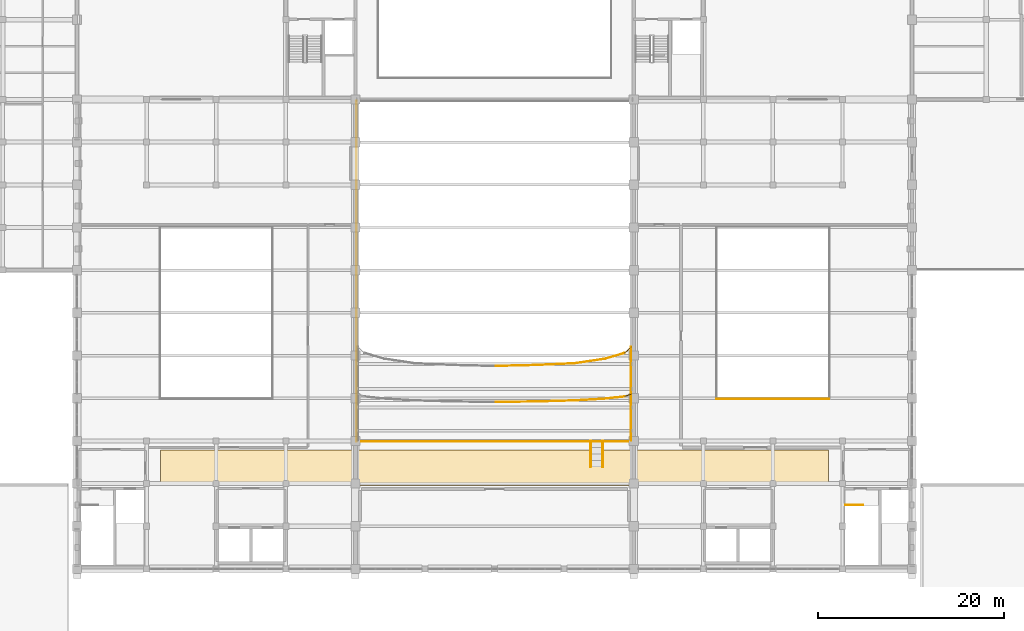
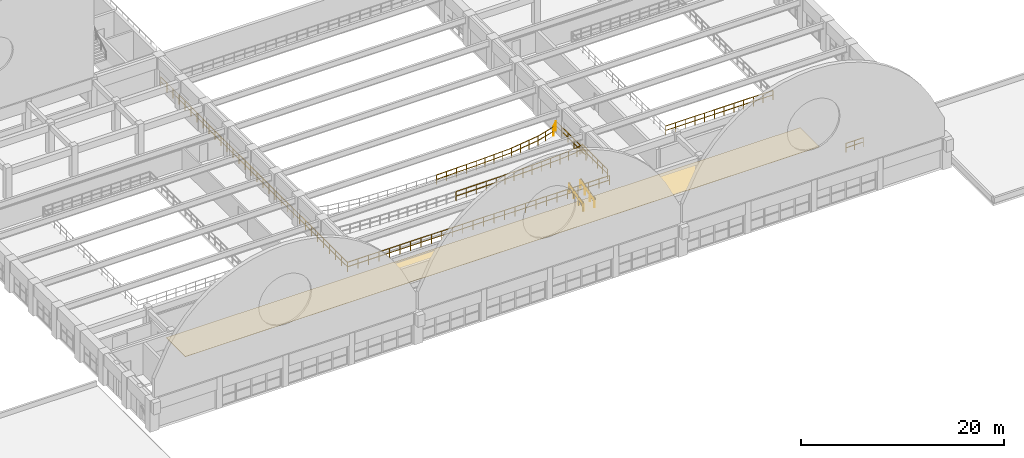
# One storey, part 67 of 74: 20 railings, 1 covering.
"""IFC4 building model written with IfcOpenShell, lengths in metres."""

from ifc_helpers import new_model, si_unit, direction, frame, origin, origin_2d, place, context, subcontext, project, spatial, polyline, circle, outline, extrude, material, layer, layer_set, type_object, element, save


model = new_model("IFC4")

# Units and contexts
model_context = context("Model", 3, precision=1e-05, world=origin(), true_north=direction((0.0, 1.0)))
body_context = subcontext(model_context, "Body", "Model", "MODEL_VIEW")
ifc_project = project(units=[si_unit("LENGTHUNIT", "METRE"), si_unit("AREAUNIT", "SQUARE_METRE"), si_unit("VOLUMEUNIT", "CUBIC_METRE"), si_unit("PLANEANGLEUNIT", "RADIAN"), si_unit("MASSUNIT", "GRAM", prefix="KILO")], contexts=[model_context])

# Site, building, storey
site_placement = place(None, origin())
site = spatial("IfcSite", under=ifc_project, at=site_placement, CompositionType="ELEMENT")
building_placement = place(site_placement, origin())
building = spatial("IfcBuilding", under=site, at=building_placement, Name="Muzn Square Opera House", CompositionType="ELEMENT")
storey_placement = place(building_placement, frame((0.0, 0.0, 14.199951171875)))
storey = spatial("IfcBuildingStorey", under=building, at=storey_placement, Name="L03", CompositionType="ELEMENT", Elevation=14.199951171875)

# Railings
ifc_material_1 = material(Name="Architectural bronze mashrabiya", Category="metal")
railing_type_1 = type_object("IfcRailingType", Name="Bronze Protective Balustrade 1120mm", PredefinedType="BALUSTRADE", material=ifc_material_1)
railing_1_placement = place(storey_placement, frame((73.1298828125, 35.719970703125, 0.0)))
element("IfcRailing", 1, at=railing_1_placement, inside=storey, type_object=railing_type_1, Name="Void Edge Balustrade L03-0043", PredefinedType="BALUSTRADE", context=body_context, shape_type="SweptSolid", body=[
    extrude(circle(Radius=0.02392578125, at=origin_2d()), frame((0.0, 0.0, 1.09619140625), z_axis=(1.0, 0.0, 0.0), x_axis=(0.0, 1.0, 0.0)), (0.0, 0.0, 1.0), 29.740234375),
    extrude(circle(Radius=0.02392578125, at=origin_2d()), frame((0.0, 0.0, 0.56005859375), z_axis=(1.0, 0.0, 0.0), x_axis=(0.0, 1.0, 0.0)), (0.0, 0.0, 1.0), 29.740234375),
    extrude(circle(Radius=0.02099609375, at=origin_2d()), origin(), (0.0, 0.0, 1.0), 1.072021484375),
    extrude(circle(Radius=0.02099609375, at=origin_2d()), frame((1.189697265625, 0.0, 0.0)), (0.0, 0.0, 1.0), 1.072021484375),
    extrude(circle(Radius=0.02099609375, at=origin_2d()), frame((2.379150390625, 0.0, 0.0)), (0.0, 0.0, 1.0), 1.072021484375),
    extrude(circle(Radius=0.02099609375, at=origin_2d()), frame((3.56884765625, 0.0, 0.0)), (0.0, 0.0, 1.0), 1.072021484375),
    extrude(circle(Radius=0.02099609375, at=origin_2d()), frame((4.758544921875, 0.0, 0.0)), (0.0, 0.0, 1.0), 1.072021484375),
    extrude(circle(Radius=0.02099609375, at=origin_2d()), frame((5.947998046875, 0.0, 0.0)), (0.0, 0.0, 1.0), 1.072021484375),
    extrude(circle(Radius=0.02099609375, at=origin_2d()), frame((7.1376953125, 0.0, 0.0)), (0.0, 0.0, 1.0), 1.072021484375),
    extrude(circle(Radius=0.02099609375, at=origin_2d()), frame((8.3271484375, 0.0, 0.0)), (0.0, 0.0, 1.0), 1.072021484375),
    extrude(circle(Radius=0.02099609375, at=origin_2d()), frame((9.516845703125, 0.0, 0.0)), (0.0, 0.0, 1.0), 1.072021484375),
    extrude(circle(Radius=0.02099609375, at=origin_2d()), frame((10.70654296875, 0.0, 0.0)), (0.0, 0.0, 1.0), 1.072021484375),
    extrude(circle(Radius=0.02099609375, at=origin_2d()), frame((11.89599609375, 0.0, 0.0)), (0.0, 0.0, 1.0), 1.072021484375),
    extrude(circle(Radius=0.02099609375, at=origin_2d()), frame((13.085693359375, 0.0, 0.0)), (0.0, 0.0, 1.0), 1.072021484375),
    extrude(circle(Radius=0.02099609375, at=origin_2d()), frame((14.275390625, 0.0, 0.0)), (0.0, 0.0, 1.0), 1.072021484375),
    extrude(circle(Radius=0.02099609375, at=origin_2d()), frame((15.46484375, 0.0, 0.0)), (0.0, 0.0, 1.0), 1.072021484375),
    extrude(circle(Radius=0.02099609375, at=origin_2d()), frame((16.654541015625, 0.0, 0.0)), (0.0, 0.0, 1.0), 1.072021484375),
    extrude(circle(Radius=0.02099609375, at=origin_2d()), frame((17.84423828125, 0.0, 0.0)), (0.0, 0.0, 1.0), 1.072021484375),
    extrude(circle(Radius=0.02099609375, at=origin_2d()), frame((19.03369140625, 0.0, 0.0)), (0.0, 0.0, 1.0), 1.072021484375),
    extrude(circle(Radius=0.02099609375, at=origin_2d()), frame((20.223388671875, 0.0, 0.0)), (0.0, 0.0, 1.0), 1.072021484375),
    extrude(circle(Radius=0.02099609375, at=origin_2d()), frame((21.4130859375, 0.0, 0.0)), (0.0, 0.0, 1.0), 1.072021484375),
    extrude(circle(Radius=0.02099609375, at=origin_2d()), frame((22.6025390625, 0.0, 0.0)), (0.0, 0.0, 1.0), 1.072021484375),
    extrude(circle(Radius=0.02099609375, at=origin_2d()), frame((23.792236328125, 0.0, 0.0)), (0.0, 0.0, 1.0), 1.072021484375),
    extrude(circle(Radius=0.02099609375, at=origin_2d()), frame((24.981689453125, 0.0, 0.0)), (0.0, 0.0, 1.0), 1.072021484375),
    extrude(circle(Radius=0.02099609375, at=origin_2d()), frame((26.17138671875, 0.0, 0.0)), (0.0, 0.0, 1.0), 1.072021484375),
    extrude(circle(Radius=0.02099609375, at=origin_2d()), frame((27.361083984375, 0.0, 0.0)), (0.0, 0.0, 1.0), 1.072021484375),
    extrude(circle(Radius=0.02099609375, at=origin_2d()), frame((28.550537109375, 0.0, 0.0)), (0.0, 0.0, 1.0), 1.072021484375),
    extrude(circle(Radius=0.02099609375, at=origin_2d()), frame((29.740234375, 0.0, 0.0)), (0.0, 0.0, 1.0), 1.072021484375),
])
railing_2_placement = place(storey_placement, frame((73.1298828125, 72.429931640625, 0.0)))
element("IfcRailing", 2, at=railing_2_placement, inside=storey, type_object=railing_type_1, Name="Void Edge Balustrade L03-0046", PredefinedType="BALUSTRADE", context=body_context, shape_type="SweptSolid", body=[
    extrude(circle(Radius=0.02392578125, at=origin_2d()), frame((0.0, 0.0, 1.09619140625), z_axis=(0.0, -1.0, 0.0), x_axis=(1.0, 0.0, 0.0)), (0.0, 0.0, 1.0), 36.7099609375),
    extrude(circle(Radius=0.02392578125, at=origin_2d()), frame((0.0, 0.0, 0.56005859375), z_axis=(0.0, -1.0, 0.0), x_axis=(1.0, 0.0, 0.0)), (0.0, 0.0, 1.0), 36.7099609375),
    extrude(circle(Radius=0.02099609375, at=origin_2d()), origin(), (0.0, 0.0, 1.0), 1.072021484375),
    extrude(circle(Radius=0.02099609375, at=origin_2d()), frame((0.0, -1.18408203125, 0.0)), (0.0, 0.0, 1.0), 1.072021484375),
    extrude(circle(Radius=0.02099609375, at=origin_2d()), frame((0.0, -2.368408203125, 0.0)), (0.0, 0.0, 1.0), 1.072021484375),
    extrude(circle(Radius=0.02099609375, at=origin_2d()), frame((0.0, -3.552490234375, 0.0)), (0.0, 0.0, 1.0), 1.072021484375),
    extrude(circle(Radius=0.02099609375, at=origin_2d()), frame((0.0, -4.73681640625, 0.0)), (0.0, 0.0, 1.0), 1.072021484375),
    extrude(circle(Radius=0.02099609375, at=origin_2d()), frame((0.0, -5.9208984375, 0.0)), (0.0, 0.0, 1.0), 1.072021484375),
    extrude(circle(Radius=0.02099609375, at=origin_2d()), frame((0.0, -7.105224609375, 0.0)), (0.0, 0.0, 1.0), 1.072021484375),
    extrude(circle(Radius=0.02099609375, at=origin_2d()), frame((0.0, -8.289306640625, 0.0)), (0.0, 0.0, 1.0), 1.072021484375),
    extrude(circle(Radius=0.02099609375, at=origin_2d()), frame((0.0, -9.4736328125, 0.0)), (0.0, 0.0, 1.0), 1.072021484375),
    extrude(circle(Radius=0.02099609375, at=origin_2d()), frame((0.0, -10.65771484375, 0.0)), (0.0, 0.0, 1.0), 1.072021484375),
    extrude(circle(Radius=0.02099609375, at=origin_2d()), frame((0.0, -11.842041015625, 0.0)), (0.0, 0.0, 1.0), 1.072021484375),
    extrude(circle(Radius=0.02099609375, at=origin_2d()), frame((0.0, -13.026123046875, 0.0)), (0.0, 0.0, 1.0), 1.072021484375),
    extrude(circle(Radius=0.02099609375, at=origin_2d()), frame((0.0, -14.210205078125, 0.0)), (0.0, 0.0, 1.0), 1.072021484375),
    extrude(circle(Radius=0.02099609375, at=origin_2d()), frame((0.0, -15.39453125, 0.0)), (0.0, 0.0, 1.0), 1.072021484375),
    extrude(circle(Radius=0.02099609375, at=origin_2d()), frame((0.0, -16.57861328125, 0.0)), (0.0, 0.0, 1.0), 1.072021484375),
    extrude(circle(Radius=0.02099609375, at=origin_2d()), frame((0.0, -17.762939453125, 0.0)), (0.0, 0.0, 1.0), 1.072021484375),
    extrude(circle(Radius=0.02099609375, at=origin_2d()), frame((0.0, -18.947021484375, 0.0)), (0.0, 0.0, 1.0), 1.072021484375),
    extrude(circle(Radius=0.02099609375, at=origin_2d()), frame((0.0, -20.13134765625, 0.0)), (0.0, 0.0, 1.0), 1.072021484375),
    extrude(circle(Radius=0.02099609375, at=origin_2d()), frame((0.0, -21.3154296875, 0.0)), (0.0, 0.0, 1.0), 1.072021484375),
    extrude(circle(Radius=0.02099609375, at=origin_2d()), frame((0.0, -22.499755859375, 0.0)), (0.0, 0.0, 1.0), 1.072021484375),
    extrude(circle(Radius=0.02099609375, at=origin_2d()), frame((0.0, -23.683837890625, 0.0)), (0.0, 0.0, 1.0), 1.072021484375),
    extrude(circle(Radius=0.02099609375, at=origin_2d()), frame((0.0, -24.867919921875, 0.0)), (0.0, 0.0, 1.0), 1.072021484375),
    extrude(circle(Radius=0.02099609375, at=origin_2d()), frame((0.0, -26.05224609375, 0.0)), (0.0, 0.0, 1.0), 1.072021484375),
    extrude(circle(Radius=0.02099609375, at=origin_2d()), frame((0.0, -27.236328125, 0.0)), (0.0, 0.0, 1.0), 1.072021484375),
    extrude(circle(Radius=0.02099609375, at=origin_2d()), frame((0.0, -28.420654296875, 0.0)), (0.0, 0.0, 1.0), 1.072021484375),
    extrude(circle(Radius=0.02099609375, at=origin_2d()), frame((0.0, -29.604736328125, 0.0)), (0.0, 0.0, 1.0), 1.072021484375),
    extrude(circle(Radius=0.02099609375, at=origin_2d()), frame((0.0, -30.7890625, 0.0)), (0.0, 0.0, 1.0), 1.072021484375),
    extrude(circle(Radius=0.02099609375, at=origin_2d()), frame((0.0, -31.97314453125, 0.0)), (0.0, 0.0, 1.0), 1.072021484375),
    extrude(circle(Radius=0.02099609375, at=origin_2d()), frame((0.0, -33.157470703125, 0.0)), (0.0, 0.0, 1.0), 1.072021484375),
    extrude(circle(Radius=0.02099609375, at=origin_2d()), frame((0.0, -34.341552734375, 0.0)), (0.0, 0.0, 1.0), 1.072021484375),
    extrude(circle(Radius=0.02099609375, at=origin_2d()), frame((0.0, -35.52587890625, 0.0)), (0.0, 0.0, 1.0), 1.072021484375),
    extrude(circle(Radius=0.02099609375, at=origin_2d()), frame((0.0, -36.7099609375, 0.0)), (0.0, 0.0, 1.0), 1.072021484375),
])
railing_3_placement = place(storey_placement, frame((111.919921875, 40.320068359375, 0.0)))
element("IfcRailing", 3, at=railing_3_placement, inside=storey, type_object=railing_type_1, Name="Void Edge Balustrade L03-0051", PredefinedType="BALUSTRADE", context=body_context, shape_type="SweptSolid", body=[
    extrude(circle(Radius=0.02392578125, at=origin_2d()), frame((0.0, 0.0, 1.09619140625), z_axis=(1.0, 0.0, 0.0), x_axis=(0.0, 1.0, 0.0)), (0.0, 0.0, 1.0), 12.16015625),
    extrude(circle(Radius=0.02392578125, at=origin_2d()), frame((0.0, 0.0, 0.56005859375), z_axis=(1.0, 0.0, 0.0), x_axis=(0.0, 1.0, 0.0)), (0.0, 0.0, 1.0), 12.16015625),
    extrude(circle(Radius=0.02099609375, at=origin_2d()), origin(), (0.0, 0.0, 1.0), 1.072021484375),
    extrude(circle(Radius=0.02099609375, at=origin_2d()), frame((1.10546875, 0.0, 0.0)), (0.0, 0.0, 1.0), 1.072021484375),
    extrude(circle(Radius=0.02099609375, at=origin_2d()), frame((2.2109375, 0.0, 0.0)), (0.0, 0.0, 1.0), 1.072021484375),
    extrude(circle(Radius=0.02099609375, at=origin_2d()), frame((3.31640625, 0.0, 0.0)), (0.0, 0.0, 1.0), 1.072021484375),
    extrude(circle(Radius=0.02099609375, at=origin_2d()), frame((4.421875, 0.0, 0.0)), (0.0, 0.0, 1.0), 1.072021484375),
    extrude(circle(Radius=0.02099609375, at=origin_2d()), frame((5.52734375, 0.0, 0.0)), (0.0, 0.0, 1.0), 1.072021484375),
    extrude(circle(Radius=0.02099609375, at=origin_2d()), frame((6.6328125, 0.0, 0.0)), (0.0, 0.0, 1.0), 1.072021484375),
    extrude(circle(Radius=0.02099609375, at=origin_2d()), frame((7.73828125, 0.0, 0.0)), (0.0, 0.0, 1.0), 1.072021484375),
    extrude(circle(Radius=0.02099609375, at=origin_2d()), frame((8.84375, 0.0, 0.0)), (0.0, 0.0, 1.0), 1.072021484375),
    extrude(circle(Radius=0.02099609375, at=origin_2d()), frame((9.94921875, 0.0, 0.0)), (0.0, 0.0, 1.0), 1.072021484375),
    extrude(circle(Radius=0.02099609375, at=origin_2d()), frame((11.0546875, 0.0, 0.0)), (0.0, 0.0, 1.0), 1.072021484375),
    extrude(circle(Radius=0.02099609375, at=origin_2d()), frame((12.16015625, 0.0, 0.0)), (0.0, 0.0, 1.0), 1.072021484375),
])
railing_4_placement = place(storey_placement, frame((102.72998046875, 35.860107421875, 0.719970703125)))
element("IfcRailing", 4, at=railing_4_placement, inside=storey, type_object=railing_type_1, Name="Auditorium Balcony Tier Front Balustrade L03-0143", PredefinedType="BALUSTRADE", context=body_context, shape_type="SweptSolid", body=[
    extrude(circle(Radius=0.02392578125, at=origin_2d()), frame((0.0, 0.0, 1.09619140625), z_axis=(0.0, 1.0, 0.0), x_axis=(-1.0, 0.0, 0.0)), (0.0, 0.0, 1.0), 4.97998046875),
    extrude(circle(Radius=0.02392578125, at=origin_2d()), frame((0.0, 0.0, 0.56005859375), z_axis=(0.0, 1.0, 0.0), x_axis=(-1.0, 0.0, 0.0)), (0.0, 0.0, 1.0), 4.97998046875),
    extrude(circle(Radius=0.02099609375, at=origin_2d()), origin(), (0.0, 0.0, 1.0), 1.072021484375),
    extrude(circle(Radius=0.02099609375, at=origin_2d()), frame((0.0, 0.99609375, 0.0)), (0.0, 0.0, 1.0), 1.072021484375),
    extrude(circle(Radius=0.02099609375, at=origin_2d()), frame((0.0, 1.991943359375, 0.0)), (0.0, 0.0, 1.0), 1.072021484375),
    extrude(circle(Radius=0.02099609375, at=origin_2d()), frame((0.0, 2.988037109375, 0.0)), (0.0, 0.0, 1.0), 1.072021484375),
    extrude(circle(Radius=0.02099609375, at=origin_2d()), frame((0.0, 3.98388671875, 0.0)), (0.0, 0.0, 1.0), 1.072021484375),
    extrude(circle(Radius=0.02099609375, at=origin_2d()), frame((0.0, 4.97998046875, 0.0)), (0.0, 0.0, 1.0), 1.072021484375),
])
railing_5_placement = place(storey_placement, frame((102.72998046875, 40.840087890625, 0.719970703125)))
element("IfcRailing", 5, at=railing_5_placement, inside=storey, type_object=railing_type_1, Name="Auditorium Balcony Tier Front Balustrade L03-0144", PredefinedType="BALUSTRADE", context=body_context, shape_type="SweptSolid", body=[
    extrude(circle(Radius=0.02392578125, at=origin_2d()), frame((0.0, 0.0, 1.09619140625), z_axis=(-0.940015382387, -0.341132057824, 0.0), x_axis=(0.341132057824, -0.940015382387, 0.0)), (0.0, 0.0, 1.0), 0.77001953125),
    extrude(circle(Radius=0.02392578125, at=origin_2d()), frame((0.0, 0.0, 0.56005859375), z_axis=(-0.940015382387, -0.341132057824, 0.0), x_axis=(0.341132057824, -0.940015382387, 0.0)), (0.0, 0.0, 1.0), 0.77001953125),
    extrude(circle(Radius=0.02099609375, at=origin_2d()), origin(), (0.0, 0.0, 1.0), 1.072021484375),
    extrude(circle(Radius=0.02099609375, at=origin_2d()), frame((-0.723876953125, -0.2626953125, 0.0)), (0.0, 0.0, 1.0), 1.072021484375),
])
railing_6_placement = place(storey_placement, frame((102.006103515625, 40.577392578125, 0.719970703125)))
element("IfcRailing", 6, at=railing_6_placement, inside=storey, type_object=railing_type_1, Name="Auditorium Balcony Tier Front Balustrade L03-0145", PredefinedType="BALUSTRADE", context=body_context, shape_type="SweptSolid", body=[
    extrude(circle(Radius=0.02392578125, at=origin_2d()), frame((0.0, 0.0, 1.09619140625), z_axis=(-0.993692122403, -0.112142614, 0.0), x_axis=(0.112142614, -0.993692122403, 0.0)), (0.0, 0.0, 1.0), 2.114013671875),
    extrude(circle(Radius=0.02392578125, at=origin_2d()), frame((0.0, 0.0, 0.56005859375), z_axis=(-0.993692122403, -0.112142614, 0.0), x_axis=(0.112142614, -0.993692122403, 0.0)), (0.0, 0.0, 1.0), 2.114013671875),
    extrude(circle(Radius=0.02099609375, at=origin_2d()), origin(), (0.0, 0.0, 1.0), 1.072021484375),
    extrude(circle(Radius=0.02099609375, at=origin_2d()), frame((-1.05029296875, -0.11865234375, 0.0)), (0.0, 0.0, 1.0), 1.072021484375),
    extrude(circle(Radius=0.02099609375, at=origin_2d()), frame((-2.1005859375, -0.237060546875, 0.0)), (0.0, 0.0, 1.0), 1.072021484375),
])
railing_7_placement = place(storey_placement, frame((99.905517578125, 40.34033203125, 0.719970703125)))
element("IfcRailing", 7, at=railing_7_placement, inside=storey, type_object=railing_type_1, Name="Auditorium Balcony Tier Front Balustrade L03-0146", PredefinedType="BALUSTRADE", context=body_context, shape_type="SweptSolid", body=[
    extrude(circle(Radius=0.02392578125, at=origin_2d()), frame((0.0, 0.0, 1.09619140625), z_axis=(-0.998353832564, -0.057355252636, 0.0), x_axis=(0.057355252636, -0.998353832564, 0.0)), (0.0, 0.0, 1.0), 3.277587890625),
    extrude(circle(Radius=0.02392578125, at=origin_2d()), frame((0.0, 0.0, 0.56005859375), z_axis=(-0.998353832564, -0.057355252636, 0.0), x_axis=(0.057355252636, -0.998353832564, 0.0)), (0.0, 0.0, 1.0), 3.277587890625),
    extrude(circle(Radius=0.02099609375, at=origin_2d()), origin(), (0.0, 0.0, 1.0), 1.072021484375),
    extrude(circle(Radius=0.02099609375, at=origin_2d()), frame((-1.0908203125, -0.062744140625, 0.0)), (0.0, 0.0, 1.0), 1.072021484375),
    extrude(circle(Radius=0.02099609375, at=origin_2d()), frame((-2.181396484375, -0.125244140625, 0.0)), (0.0, 0.0, 1.0), 1.072021484375),
    extrude(circle(Radius=0.02099609375, at=origin_2d()), frame((-3.272216796875, -0.18798828125, 0.0)), (0.0, 0.0, 1.0), 1.072021484375),
])
railing_8_placement = place(storey_placement, frame((96.63330078125, 40.15234375, 0.719970703125)))
element("IfcRailing", 8, at=railing_8_placement, inside=storey, type_object=railing_type_1, Name="Auditorium Balcony Tier Front Balustrade L03-0147", PredefinedType="BALUSTRADE", context=body_context, shape_type="SweptSolid", body=[
    extrude(circle(Radius=0.02392578125, at=origin_2d()), frame((0.0, 0.0, 1.09619140625), z_axis=(-0.999570665648, -0.029299904038, 0.0), x_axis=(0.029299904038, -0.999570665648, 0.0)), (0.0, 0.0, 1.0), 4.12451171875),
    extrude(circle(Radius=0.02392578125, at=origin_2d()), frame((0.0, 0.0, 0.56005859375), z_axis=(-0.999570665648, -0.029299904038, 0.0), x_axis=(0.029299904038, -0.999570665648, 0.0)), (0.0, 0.0, 1.0), 4.12451171875),
    extrude(circle(Radius=0.02099609375, at=origin_2d()), origin(), (0.0, 0.0, 1.0), 1.072021484375),
    extrude(circle(Radius=0.02099609375, at=origin_2d()), frame((-1.03076171875, -0.0302734375, 0.0)), (0.0, 0.0, 1.0), 1.072021484375),
    extrude(circle(Radius=0.02099609375, at=origin_2d()), frame((-2.0615234375, -0.060546875, 0.0)), (0.0, 0.0, 1.0), 1.072021484375),
    extrude(circle(Radius=0.02099609375, at=origin_2d()), frame((-3.092041015625, -0.090576171875, 0.0)), (0.0, 0.0, 1.0), 1.072021484375),
    extrude(circle(Radius=0.02099609375, at=origin_2d()), frame((-4.122802734375, -0.120849609375, 0.0)), (0.0, 0.0, 1.0), 1.072021484375),
])
railing_9_placement = place(storey_placement, frame((92.510498046875, 40.031494140625, 0.719970703125)))
element("IfcRailing", 9, at=railing_9_placement, inside=storey, type_object=railing_type_1, Name="Auditorium Balcony Tier Front Balustrade L03-0148", PredefinedType="BALUSTRADE", context=body_context, shape_type="SweptSolid", body=[
    extrude(circle(Radius=0.02392578125, at=origin_2d()), frame((0.0, 0.0, 1.09619140625), z_axis=(-0.999958772889, -0.009080337129, 0.0), x_axis=(0.009080337129, -0.999958772889, 0.0)), (0.0, 0.0, 1.0), 4.57080078125),
    extrude(circle(Radius=0.02392578125, at=origin_2d()), frame((0.0, 0.0, 0.56005859375), z_axis=(-0.999958772889, -0.009080337129, 0.0), x_axis=(0.009080337129, -0.999958772889, 0.0)), (0.0, 0.0, 1.0), 4.57080078125),
    extrude(circle(Radius=0.02099609375, at=origin_2d()), origin(), (0.0, 0.0, 1.0), 1.072021484375),
    extrude(circle(Radius=0.02099609375, at=origin_2d()), frame((-1.142578125, -0.01025390625, 0.0)), (0.0, 0.0, 1.0), 1.072021484375),
    extrude(circle(Radius=0.02099609375, at=origin_2d()), frame((-2.28515625, -0.020751953125, 0.0)), (0.0, 0.0, 1.0), 1.072021484375),
    extrude(circle(Radius=0.02099609375, at=origin_2d()), frame((-3.427978515625, -0.03125, 0.0)), (0.0, 0.0, 1.0), 1.072021484375),
    extrude(circle(Radius=0.02099609375, at=origin_2d()), frame((-4.570556640625, -0.04150390625, 0.0)), (0.0, 0.0, 1.0), 1.072021484375),
])
railing_10_placement = place(storey_placement, frame((102.72998046875, 40.110107421875, 0.360107421875)))
element("IfcRailing", 10, at=railing_10_placement, inside=storey, type_object=railing_type_1, Name="Auditorium Balcony Tier Front Balustrade L03-0155", PredefinedType="BALUSTRADE", context=body_context, shape_type="SweptSolid", body=[
    extrude(circle(Radius=0.02392578125, at=origin_2d()), frame((0.0, 0.0, 1.09619140625), z_axis=(0.0, 1.0, 0.0), x_axis=(-1.0, 0.0, 0.0)), (0.0, 0.0, 1.0), 5.829833984375),
    extrude(circle(Radius=0.02392578125, at=origin_2d()), frame((0.0, 0.0, 0.56005859375), z_axis=(0.0, 1.0, 0.0), x_axis=(-1.0, 0.0, 0.0)), (0.0, 0.0, 1.0), 5.829833984375),
    extrude(circle(Radius=0.02099609375, at=origin_2d()), origin(), (0.0, 0.0, 1.0), 1.072021484375),
    extrude(circle(Radius=0.02099609375, at=origin_2d()), frame((0.0, 1.166015625, 0.0)), (0.0, 0.0, 1.0), 1.072021484375),
    extrude(circle(Radius=0.02099609375, at=origin_2d()), frame((0.0, 2.33203125, 0.0)), (0.0, 0.0, 1.0), 1.072021484375),
    extrude(circle(Radius=0.02099609375, at=origin_2d()), frame((0.0, 3.497802734375, 0.0)), (0.0, 0.0, 1.0), 1.072021484375),
    extrude(circle(Radius=0.02099609375, at=origin_2d()), frame((0.0, 4.663818359375, 0.0)), (0.0, 0.0, 1.0), 1.072021484375),
    extrude(circle(Radius=0.02099609375, at=origin_2d()), frame((0.0, 5.829833984375, 0.0)), (0.0, 0.0, 1.0), 1.072021484375),
])
railing_11_placement = place(storey_placement, frame((102.72998046875, 45.93994140625, 0.360107421875)))
element("IfcRailing", 11, at=railing_11_placement, inside=storey, type_object=railing_type_1, Name="Auditorium Balcony Tier Front Balustrade L03-0156", PredefinedType="BALUSTRADE", context=body_context, shape_type="SweptSolid", body=[
    extrude(circle(Radius=0.02392578125, at=origin_2d()), frame((0.0, 0.0, 1.09619140625), z_axis=(-0.729007928433, -0.684505252195, 0.0), x_axis=(0.684505252195, -0.729007928433, 0.0)), (0.0, 0.0, 1.0), 0.992919921875),
    extrude(circle(Radius=0.02392578125, at=origin_2d()), frame((0.0, 0.0, 0.56005859375), z_axis=(-0.729007928433, -0.684505252195, 0.0), x_axis=(0.684505252195, -0.729007928433, 0.0)), (0.0, 0.0, 1.0), 0.992919921875),
    extrude(circle(Radius=0.02099609375, at=origin_2d()), origin(), (0.0, 0.0, 1.0), 1.072021484375),
    extrude(circle(Radius=0.02099609375, at=origin_2d()), frame((-0.723876953125, -0.6796875, 0.0)), (0.0, 0.0, 1.0), 1.072021484375),
])
railing_12_placement = place(storey_placement, frame((102.006103515625, 45.26025390625, 0.360107421875)))
element("IfcRailing", 12, at=railing_12_placement, inside=storey, type_object=railing_type_1, Name="Auditorium Balcony Tier Front Balustrade L03-0157", PredefinedType="BALUSTRADE", context=body_context, shape_type="SweptSolid", body=[
    extrude(circle(Radius=0.02392578125, at=origin_2d()), frame((0.0, 0.0, 1.09619140625), z_axis=(-0.959924992365, -0.280257041007, 0.0), x_axis=(0.280257041007, -0.959924992365, 0.0)), (0.0, 0.0, 1.0), 2.188232421875),
    extrude(circle(Radius=0.02392578125, at=origin_2d()), frame((0.0, 0.0, 0.56005859375), z_axis=(-0.959924992365, -0.280257041007, 0.0), x_axis=(0.280257041007, -0.959924992365, 0.0)), (0.0, 0.0, 1.0), 2.188232421875),
    extrude(circle(Radius=0.02099609375, at=origin_2d()), origin(), (0.0, 0.0, 1.0), 1.072021484375),
    extrude(circle(Radius=0.02099609375, at=origin_2d()), frame((-1.05029296875, -0.306640625, 0.0)), (0.0, 0.0, 1.0), 1.072021484375),
    extrude(circle(Radius=0.02099609375, at=origin_2d()), frame((-2.1005859375, -0.61328125, 0.0)), (0.0, 0.0, 1.0), 1.072021484375),
])
railing_13_placement = place(storey_placement, frame((99.905517578125, 44.64697265625, 0.360107421875)))
element("IfcRailing", 13, at=railing_13_placement, inside=storey, type_object=railing_type_1, Name="Auditorium Balcony Tier Front Balustrade L03-0158", PredefinedType="BALUSTRADE", context=body_context, shape_type="SweptSolid", body=[
    extrude(circle(Radius=0.02392578125, at=origin_2d()), frame((0.0, 0.0, 1.09619140625), z_axis=(-0.989113729581, -0.147153083398, 0.0), x_axis=(0.147153083398, -0.989113729581, 0.0)), (0.0, 0.0, 1.0), 3.308349609375),
    extrude(circle(Radius=0.02392578125, at=origin_2d()), frame((0.0, 0.0, 0.56005859375), z_axis=(-0.989113729581, -0.147153083398, 0.0), x_axis=(0.147153083398, -0.989113729581, 0.0)), (0.0, 0.0, 1.0), 3.308349609375),
    extrude(circle(Radius=0.02099609375, at=origin_2d()), origin(), (0.0, 0.0, 1.0), 1.072021484375),
    extrude(circle(Radius=0.02099609375, at=origin_2d()), frame((-1.0908203125, -0.162353515625, 0.0)), (0.0, 0.0, 1.0), 1.072021484375),
    extrude(circle(Radius=0.02099609375, at=origin_2d()), frame((-2.181396484375, -0.324462890625, 0.0)), (0.0, 0.0, 1.0), 1.072021484375),
    extrude(circle(Radius=0.02099609375, at=origin_2d()), frame((-3.272216796875, -0.48681640625, 0.0)), (0.0, 0.0, 1.0), 1.072021484375),
])
railing_14_placement = place(storey_placement, frame((96.63330078125, 44.16015625, 0.360107421875)))
element("IfcRailing", 14, at=railing_14_placement, inside=storey, type_object=railing_type_1, Name="Auditorium Balcony Tier Front Balustrade L03-0159", PredefinedType="BALUSTRADE", context=body_context, shape_type="SweptSolid", body=[
    extrude(circle(Radius=0.02392578125, at=origin_2d()), frame((0.0, 0.0, 1.09619140625), z_axis=(-0.99891305167, -0.046612393244, 0.0), x_axis=(0.046612393244, -0.99891305167, 0.0)), (0.0, 0.0, 1.0), 4.127197265625),
    extrude(circle(Radius=0.02392578125, at=origin_2d()), frame((0.0, 0.0, 0.56005859375), z_axis=(-0.99891305167, -0.046612393244, 0.0), x_axis=(0.046612393244, -0.99891305167, 0.0)), (0.0, 0.0, 1.0), 4.127197265625),
    extrude(circle(Radius=0.02099609375, at=origin_2d()), origin(), (0.0, 0.0, 1.0), 1.072021484375),
    extrude(circle(Radius=0.02099609375, at=origin_2d()), frame((-1.03076171875, -0.048095703125, 0.0)), (0.0, 0.0, 1.0), 1.072021484375),
    extrude(circle(Radius=0.02099609375, at=origin_2d()), frame((-2.0615234375, -0.09619140625, 0.0)), (0.0, 0.0, 1.0), 1.072021484375),
    extrude(circle(Radius=0.02099609375, at=origin_2d()), frame((-3.092041015625, -0.144287109375, 0.0)), (0.0, 0.0, 1.0), 1.072021484375),
    extrude(circle(Radius=0.02099609375, at=origin_2d()), frame((-4.122802734375, -0.1923828125, 0.0)), (0.0, 0.0, 1.0), 1.072021484375),
])
railing_15_placement = place(storey_placement, frame((92.510498046875, 43.9677734375, 0.360107421875)))
element("IfcRailing", 15, at=railing_15_placement, inside=storey, type_object=railing_type_1, Name="Auditorium Balcony Tier Front Balustrade L03-0160", PredefinedType="BALUSTRADE", context=body_context, shape_type="SweptSolid", body=[
    extrude(circle(Radius=0.02392578125, at=origin_2d()), frame((0.0, 0.0, 1.09619140625), z_axis=(-0.999722662626, -0.023549900872, 0.0), x_axis=(0.023549900872, -0.999722662626, 0.0)), (0.0, 0.0, 1.0), 4.57177734375),
    extrude(circle(Radius=0.02392578125, at=origin_2d()), frame((0.0, 0.0, 0.56005859375), z_axis=(-0.999722662626, -0.023549900872, 0.0), x_axis=(0.023549900872, -0.999722662626, 0.0)), (0.0, 0.0, 1.0), 4.57177734375),
    extrude(circle(Radius=0.02099609375, at=origin_2d()), origin(), (0.0, 0.0, 1.0), 1.072021484375),
    extrude(circle(Radius=0.02099609375, at=origin_2d()), frame((-1.142578125, -0.02685546875, 0.0)), (0.0, 0.0, 1.0), 1.072021484375),
    extrude(circle(Radius=0.02099609375, at=origin_2d()), frame((-2.28515625, -0.0537109375, 0.0)), (0.0, 0.0, 1.0), 1.072021484375),
    extrude(circle(Radius=0.02099609375, at=origin_2d()), frame((-3.427978515625, -0.080810546875, 0.0)), (0.0, 0.0, 1.0), 1.072021484375),
    extrude(circle(Radius=0.02099609375, at=origin_2d()), frame((-4.570556640625, -0.107666015625, 0.0)), (0.0, 0.0, 1.0), 1.072021484375),
])

# Covering
ifc_material_2 = material(Name="Polished limestone terrazzo", Category="stone")
ifc_layer = layer(ifc_material_2, 0.030029296875, Name="Polished limestone terrazzo", Category="stone")
ifc_layer_set = layer_set([ifc_layer], Name="Polished limestone terrazzo")
covering_type = type_object("IfcCoveringType", Name="Polished Terrazzo Promenade Flooring", PredefinedType="FLOORING", material=ifc_layer_set)
covering_placement = place(storey_placement, origin())
element("IfcCovering", 16, at=covering_placement, inside=storey, type_object=covering_type, Name="Amphitheatre Promenade Terrazzo Flooring", PredefinedType="FLOORING", context=body_context, shape_type="SweptSolid", body=[
    extrude(outline(polyline([(52.0, 31.0), (124.0, 31.0), (124.0, 34.800048828125), (52.0, 34.800048828125), (52.0, 31.0)])), origin(), (0.0, 0.0, 1.0), 0.030029296875),
])

# Railings
ifc_material_3 = material(Name="Brushed stainless steel", Category="metal")
railing_type_2 = type_object("IfcRailingType", Name="Stair Guard Railing 1120mm", PredefinedType="GUARDRAIL", material=ifc_material_3)
railing_16_placement = place(storey_placement, frame((125.800048828125, 28.889892578125, 0.0)))
element("IfcRailing", 17, at=railing_16_placement, inside=storey, type_object=railing_type_2, Name="L03 ST-4 top well guard 1", PredefinedType="GUARDRAIL", context=body_context, shape_type="SweptSolid", body=[
    extrude(circle(Radius=0.02392578125, at=origin_2d()), frame((0.0, 0.0, 1.076171875), z_axis=(1.0, 0.0, 0.0), x_axis=(0.0, 1.0, 0.0)), (0.0, 0.0, 1.0), 1.93994140625),
    extrude(circle(Radius=0.02392578125, at=origin_2d()), frame((0.0, 0.0, 0.550048828125), z_axis=(1.0, 0.0, 0.0), x_axis=(0.0, 1.0, 0.0)), (0.0, 0.0, 1.0), 1.93994140625),
    extrude(circle(Radius=0.02099609375, at=origin_2d()), origin(), (0.0, 0.0, 1.0), 1.052001953125),
    extrude(circle(Radius=0.02099609375, at=origin_2d()), frame((0.969970703125, 0.0, 0.0)), (0.0, 0.0, 1.0), 1.052001953125),
    extrude(circle(Radius=0.02099609375, at=origin_2d()), frame((1.93994140625, 0.0, 0.0)), (0.0, 0.0, 1.0), 1.052001953125),
])
for number, where, name in (
    (18, (98.320068359375, 33.0, 0.0), "Vomitory Stair Guard VS-08-L"),
    (19, (99.679931640625, 33.0, 0.0), "Vomitory Stair Guard VS-08-R"),
):
    element("IfcRailing", number, at=place(storey_placement, frame(where)), inside=storey, type_object=railing_type_2, Name=name, PredefinedType="GUARDRAIL", context=body_context, shape_type="SweptSolid", body=[
        extrude(circle(Radius=0.02392578125, at=origin_2d()), frame((0.0, 0.0, 1.09619140625), z_axis=(0.0, 0.96849642409, 0.249027461387), x_axis=(-1.0, 0.0, 0.0)), (0.0, 0.0, 1.0), 2.89111328125),
        extrude(circle(Radius=0.02392578125, at=origin_2d()), frame((0.0, 0.0, 0.56005859375), z_axis=(0.0, 0.96849642409, 0.249027461387), x_axis=(-1.0, 0.0, 0.0)), (0.0, 0.0, 1.0), 2.89111328125),
        extrude(circle(Radius=0.02099609375, at=origin_2d()), origin(), (0.0, 0.0, 1.0), 1.072021484375),
        extrude(circle(Radius=0.02099609375, at=origin_2d()), frame((0.0, 0.933349609375, 0.239990234375)), (0.0, 0.0, 1.0), 1.072021484375),
        extrude(circle(Radius=0.02099609375, at=origin_2d()), frame((0.0, 1.86669921875, 0.47998046875)), (0.0, 0.0, 1.0), 1.072021484375),
        extrude(circle(Radius=0.02099609375, at=origin_2d()), frame((0.0, 2.800048828125, 0.719970703125)), (0.0, 0.0, 1.0), 1.072021484375),
    ])
railing_type_3 = type_object("IfcRailingType", Name="Stair Pitch Handrail 900mm", PredefinedType="HANDRAIL", material=ifc_material_3)
for number, where, name in (
    (20, (98.37451171875, 33.0, 0.0), "Vomitory Stair Handrail VS-08-L"),
    (21, (99.62548828125, 33.0, 0.0), "Vomitory Stair Handrail VS-08-R"),
):
    element("IfcRailing", number, at=place(storey_placement, frame(where)), inside=storey, type_object=railing_type_3, Name=name, PredefinedType="HANDRAIL", context=body_context, shape_type="SweptSolid", body=[
        extrude(circle(Radius=0.02392578125, at=origin_2d()), frame((0.0, 0.0, 0.8759765625), z_axis=(0.0, 0.96849642409, 0.249027461387), x_axis=(-1.0, 0.0, 0.0)), (0.0, 0.0, 1.0), 2.89111328125),
        extrude(circle(Radius=0.02099609375, at=origin_2d()), origin(), (0.0, 0.0, 1.0), 0.851806640625),
        extrude(circle(Radius=0.02099609375, at=origin_2d()), frame((0.0, 0.933349609375, 0.239990234375)), (0.0, 0.0, 1.0), 0.851806640625),
        extrude(circle(Radius=0.02099609375, at=origin_2d()), frame((0.0, 1.86669921875, 0.47998046875)), (0.0, 0.0, 1.0), 0.851806640625),
        extrude(circle(Radius=0.02099609375, at=origin_2d()), frame((0.0, 2.800048828125, 0.719970703125)), (0.0, 0.0, 1.0), 0.851806640625),
    ])

save(model, "model.ifc")
